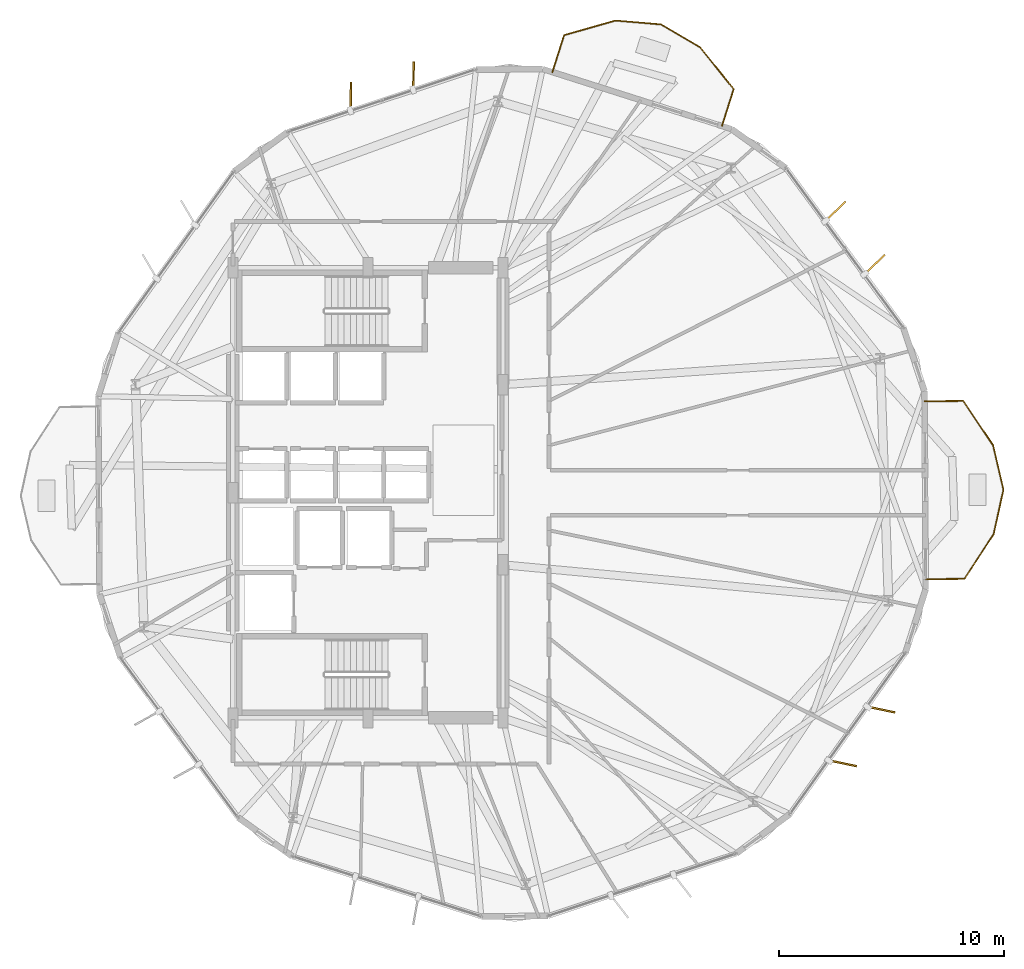
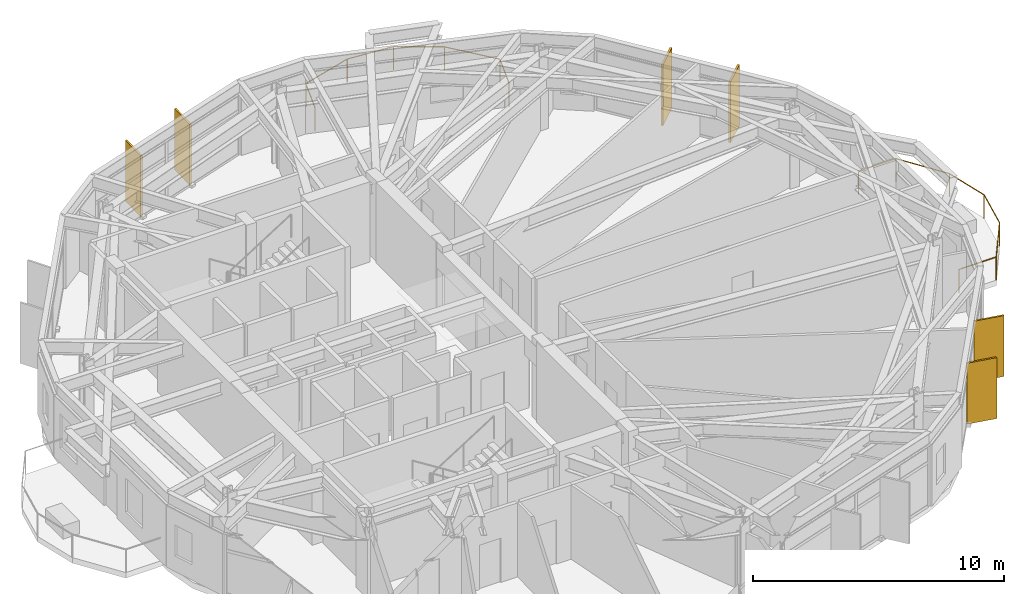
# One storey, part 27 of 27: 6 shading devices, 2 railings.
"""IFC4 building model written with IfcOpenShell, lengths in metres."""

import ifcopenshell
import ifcopenshell.guid

model = None  # the IFC model being written
_history = None  # IfcOwnerHistory: only IFC2X3 demands one
_inside = {}  # id of a spatial element -> (the spatial element, [elements in it])
_under = {}  # id of a project, library or spatial element -> (it, [spatial elements below it])
_declared = {}  # id of a project -> (the project, [libraries it declares])
_typed = {}  # id of a type object -> (the type object, [elements of that type])
_made_of = {}  # id of a material, layer set ... -> (it, [elements and type objects made of it])


def new_model(schema):
    """Start an empty IFC model of exactly this schema.

    Asked for "IFC4X3", IfcOpenShell would pick the latest addendum, in which some entities
    have other attributes; the version numbers below select the first issue.
    IFC2X3 requires an IfcOwnerHistory on every rooted entity: one is made here for all.
    """
    global model, _history
    if schema == "IFC4X3":
        model = ifcopenshell.file(schema_version=(4, 3, 0, 0))
    else:
        model = ifcopenshell.file(schema=schema)
    _inside.clear()
    _under.clear()
    _declared.clear()
    _typed.clear()
    _made_of.clear()
    _history = None
    if model.schema == "IFC2X3":
        org = make("IfcOrganization", Name="unknown")
        user = make(
            "IfcPersonAndOrganization",
            ThePerson=make("IfcPerson", FamilyName="unknown"),
            TheOrganization=org,
        )
        app = make(
            "IfcApplication",
            ApplicationDeveloper=org,
            Version="unknown",
            ApplicationFullName="unknown",
            ApplicationIdentifier="unknown",
        )
        _history = make(
            "IfcOwnerHistory",
            OwningUser=user,
            OwningApplication=app,
            ChangeAction="ADDED",
            CreationDate=0,
        )
    return model


def make(cls, **values):
    """One entity of the class cls with the attributes given. An attribute that is None is left unset."""
    return model.create_entity(
        cls, **{name: value for name, value in values.items() if value is not None}
    )


def rooted(cls, **values):
    """An entity with a GlobalId (a new one), such as an element, a storey or a relation."""
    return make(cls, GlobalId=ifcopenshell.guid.new(), OwnerHistory=_history, **values)


def si_unit(unit_type, name, prefix=None):
    """IfcSIUnit, for example si_unit("LENGTHUNIT", "METRE", prefix="MILLI")."""
    return make("IfcSIUnit", UnitType=unit_type, Prefix=prefix, Name=name)


def assignment(units):
    """IfcUnitAssignment: the units of a project."""
    return None if units is None else make("IfcUnitAssignment", Units=units)


def point(xyz):
    """IfcCartesianPoint."""
    return None if xyz is None else make("IfcCartesianPoint", Coordinates=xyz)


def direction(xyz):
    """IfcDirection."""
    return None if xyz is None else make("IfcDirection", DirectionRatios=xyz)


def frame(location, z_axis=None, x_axis=None):
    """IfcAxis2Placement3D, a coordinate frame: its origin and axes. An axis left out is left unset."""
    return make(
        "IfcAxis2Placement3D",
        Location=point(location),
        Axis=direction(z_axis),
        RefDirection=direction(x_axis),
    )


def frame_2d(location, x_axis=None):
    """IfcAxis2Placement2D, a coordinate frame in the plane: its origin and x axis."""
    return make(
        "IfcAxis2Placement2D", Location=point(location), RefDirection=direction(x_axis)
    )


def origin():
    """The frame at (0, 0, 0) with its axes left unset."""
    return frame((0.0, 0.0, 0.0))


def origin_2d():
    """The frame at (0, 0) in the plane with its x axis left unset."""
    return frame_2d((0.0, 0.0))


def place(relative_to, where):
    """IfcLocalPlacement: puts the frame where relative to a parent placement (None: the world)."""
    return make(
        "IfcLocalPlacement", PlacementRelTo=relative_to, RelativePlacement=where
    )


def context(
    kind, dimensions, precision=None, world=None, true_north=None, identifier=None
):
    """IfcGeometricRepresentationContext, for example the 3D "Model" context."""
    return make(
        "IfcGeometricRepresentationContext",
        ContextIdentifier=identifier,
        ContextType=kind,
        CoordinateSpaceDimension=dimensions,
        Precision=precision,
        WorldCoordinateSystem=world,
        TrueNorth=true_north,
    )


def subcontext(parent, identifier, kind, view, scale=None):
    """IfcGeometricRepresentationSubContext, for example "Body" below "Model"."""
    return make(
        "IfcGeometricRepresentationSubContext",
        ContextIdentifier=identifier,
        ContextType=kind,
        ParentContext=parent,
        TargetScale=scale,
        TargetView=view,
    )


def project(units=None, contexts=None):
    """IfcProject with its units and contexts."""
    return rooted(
        "IfcProject",
        Name="project",
        RepresentationContexts=contexts,
        UnitsInContext=assignment(units),
    )


def spatial(cls, under=None, at=None, **own):
    """A site, building, storey or space (cls), placed at a placement, below another one or the project."""
    s = rooted(cls, ObjectPlacement=at, **own)
    if under is not None:
        _under.setdefault(under.id(), (under, []))[1].append(s)
    return s


def profile(cls, at=None, kind="AREA", **sizes):
    """A parametric profile (cls). Its sizes go by their IFC names, for example OverallWidth=200.0."""
    return make(cls, ProfileType=kind, Position=at, **sizes)


def rectangle(**sizes):
    """IfcRectangleProfileDef."""
    return profile("IfcRectangleProfileDef", **sizes)


def circle(**sizes):
    """IfcCircleProfileDef."""
    return profile("IfcCircleProfileDef", **sizes)


def extrude(swept, where, along, depth):
    """IfcExtrudedAreaSolid: the profile swept, set in the frame where, extruded along a direction by depth."""
    return make(
        "IfcExtrudedAreaSolid",
        SweptArea=swept,
        Position=where,
        ExtrudedDirection=direction(along),
        Depth=depth,
    )


def shape(context_of_items, identifier, shape_type, items):
    """IfcShapeRepresentation: the items that make up one representation, for example the "Body"."""
    return make(
        "IfcShapeRepresentation",
        ContextOfItems=context_of_items,
        RepresentationIdentifier=identifier,
        RepresentationType=shape_type,
        Items=items,
    )


def material(Name=None, Category=None):
    """IfcMaterial."""
    return make("IfcMaterial", Name=Name, Category=Category)


def layer(
    of_material, thickness, ventilated=None, Name=None, Category=None, Priority=None
):
    """IfcMaterialLayer: one layer of a wall or slab, of a material (None: an air gap)."""
    return make(
        "IfcMaterialLayer",
        Material=of_material,
        LayerThickness=thickness,
        IsVentilated=ventilated,
        Name=Name,
        Category=Category,
        Priority=Priority,
    )


def layer_set(layers, Name=None):
    """IfcMaterialLayerSet."""
    return make("IfcMaterialLayerSet", MaterialLayers=layers, LayerSetName=Name)


def made_of(thing, what):
    """Note that an element or type object is made of a material, layer set ...; save() writes the relation."""
    if what is not None:
        _made_of.setdefault(what.id(), (what, []))[1].append(thing)
    return thing


def type_object(cls, material=None, **own):
    """A type object (cls), such as IfcWallType, which elements share."""
    return made_of(rooted(cls, **own), material)


def element(
    cls,
    number,
    at=None,
    inside=None,
    cuts=None,
    type_object=None,
    material=None,
    context=None,
    identifier="Body",
    shape_type=None,
    held_by="IfcProductDefinitionShape",
    body=None,
    shapes=None,
    **own,
):
    """One element of the class cls, such as IfcWall. Its Tag is "e" and its number.

    at: its placement. inside: the storey or other place that contains it. cuts: it is an
    opening in that element (IfcRelVoidsElement). A single representation is given by context,
    identifier, shape_type and body (its items); several are given by shapes. held_by: the class
    of the entity that holds the representations. save() writes the other relations.
    """
    e = rooted(cls, Tag="e%d" % number, ObjectPlacement=at, **own)
    if body is not None:
        shapes = [shape(context, identifier, shape_type, body)]
    if shapes is not None:
        e.Representation = make(held_by, Representations=shapes)
    if inside is not None:
        _inside.setdefault(inside.id(), (inside, []))[1].append(e)
    if cuts is not None:
        rooted(
            "IfcRelVoidsElement", RelatingBuildingElement=cuts, RelatedOpeningElement=e
        )
    if type_object is not None:
        _typed.setdefault(type_object.id(), (type_object, []))[1].append(e)
    return made_of(e, material)


def aggregate(whole, parts):
    """IfcRelAggregates: a whole, such as a stair, and the parts it consists of."""
    return rooted("IfcRelAggregates", RelatingObject=whole, RelatedObjects=parts)


def save(model, path):
    """Write the relations noted so far, then the file.

    IfcRelAggregates (storeys below a building ...), IfcRelContainedInSpatialStructure (elements
    in a storey), IfcRelDefinesByType, IfcRelAssociatesMaterial and IfcRelDeclares: one each for
    every whole, place, type object, material and project.
    """
    for whole, parts in _under.values():
        aggregate(whole, parts)
    for where, things in _inside.values():
        rooted(
            "IfcRelContainedInSpatialStructure",
            RelatedElements=things,
            RelatingStructure=where,
        )
    for kind, things in _typed.values():
        rooted("IfcRelDefinesByType", RelatedObjects=things, RelatingType=kind)
    for what, things in _made_of.values():
        rooted("IfcRelAssociatesMaterial", RelatedObjects=things, RelatingMaterial=what)
    for by, libraries in _declared.values():
        rooted("IfcRelDeclares", RelatingContext=by, RelatedDefinitions=libraries)
    model.write(path)


model = new_model("IFC4")

# Units and contexts
model_context = context("Model", 3, precision=1e-05, world=origin(), true_north=direction((0.0, 1.0)))
body_context = subcontext(model_context, "Body", "Model", "MODEL_VIEW")
ifc_project = project(units=[si_unit("LENGTHUNIT", "METRE"), si_unit("AREAUNIT", "SQUARE_METRE"), si_unit("VOLUMEUNIT", "CUBIC_METRE"), si_unit("PLANEANGLEUNIT", "RADIAN"), si_unit("MASSUNIT", "GRAM", prefix="KILO")], contexts=[model_context])

# Site, building, storey
site_placement = place(None, origin())
site = spatial("IfcSite", under=ifc_project, at=site_placement, CompositionType="ELEMENT")
building_placement = place(site_placement, origin())
building = spatial("IfcBuilding", under=site, at=building_placement, Name="Soratama Intermodal Tower", CompositionType="ELEMENT")
storey_placement = place(building_placement, frame((0.0, 0.0, 99.10009765625)))
storey = spatial("IfcBuildingStorey", under=building, at=storey_placement, Name="L23", CompositionType="ELEMENT", Elevation=99.10009765625)

# Railings
ifc_material_1 = material(Name="Laminated glass and stainless steel balustrade", Category="steel")
railing_type = type_object("IfcRailingType", Name="RL-BAL-1150", PredefinedType="BALUSTRADE", material=ifc_material_1)
railing_1_placement = place(storey_placement, frame((63.32666015625, 29.068603515625, 0.0)))
element("IfcRailing", 1, at=railing_1_placement, inside=storey, type_object=railing_type, Name="L23 Balcony Balustrade 1", PredefinedType="BALUSTRADE", context=body_context, shape_type="SweptSolid", body=[
    extrude(circle(Radius=0.02392578125, at=origin_2d()), frame((0.0, 0.0, 1.1259765625), z_axis=(0.999980497034, 0.006245442423, 0.0), x_axis=(-0.006245442423, 0.999980497034, 0.0)), (0.0, 0.0, 1.0), 1.719970703125),
    extrude(circle(Radius=0.02392578125, at=origin_2d()), frame((1.719970703125, 0.0107421875, 1.1259765625), z_axis=(0.557926700246, -0.82989023199, 0.0), x_axis=(0.82989023199, 0.557926700246, 0.0)), (0.0, 0.0, 1.0), 2.371826171875),
    extrude(circle(Radius=0.02392578125, at=origin_2d()), frame((3.043212890625, -1.95751953125, 1.1259765625), z_axis=(0.227629367038, -0.973747847886, 0.0), x_axis=(0.973747847886, 0.227629367038, 0.0)), (0.0, 0.0, 1.0), 2.027099609375),
    extrude(circle(Radius=0.02392578125, at=origin_2d()), frame((3.504638671875, -3.931396484375, 1.1259765625), z_axis=(-0.215348851196, -0.976537184284, 0.0), x_axis=(0.976537184284, -0.215348851196, 0.0)), (0.0, 0.0, 1.0), 2.027099609375),
    extrude(circle(Radius=0.02392578125, at=origin_2d()), frame((3.068115234375, -5.910888671875, 1.1259765625), z_axis=(-0.547482293231, -0.836817267149, 0.0), x_axis=(0.836817267149, -0.547482293231, 0.0)), (0.0, 0.0, 1.0), 2.371826171875),
    extrude(circle(Radius=0.02392578125, at=origin_2d()), frame((1.76953125, -7.895751953125, 1.1259765625), z_axis=(-0.999980491497, -0.006246329021, 0.0), x_axis=(0.006246329021, -0.999980491497, 0.0)), (0.0, 0.0, 1.0), 1.7197265625),
    extrude(circle(Radius=0.02099609375, at=origin_2d()), origin(), (0.0, 0.0, 1.0), 1.101806640625),
    extrude(circle(Radius=0.02099609375, at=origin_2d()), frame((1.719970703125, 0.0107421875, 0.0)), (0.0, 0.0, 1.0), 1.101806640625),
    extrude(circle(Radius=0.02099609375, at=origin_2d()), frame((3.043212890625, -1.95751953125, 0.0)), (0.0, 0.0, 1.0), 1.101806640625),
    extrude(circle(Radius=0.02099609375, at=origin_2d()), frame((3.504638671875, -3.931396484375, 0.0)), (0.0, 0.0, 1.0), 1.101806640625),
    extrude(circle(Radius=0.02099609375, at=origin_2d()), frame((3.068115234375, -5.910888671875, 0.0)), (0.0, 0.0, 1.0), 1.101806640625),
    extrude(circle(Radius=0.02099609375, at=origin_2d()), frame((1.76953125, -7.895751953125, 0.0)), (0.0, 0.0, 1.0), 1.101806640625),
    extrude(circle(Radius=0.02099609375, at=origin_2d()), frame((0.0498046875, -7.906494140625, 0.0)), (0.0, 0.0, 1.0), 1.101806640625),
])
railing_2_placement = place(storey_placement, frame((46.793701171875, 43.68701171875, 0.0)))
element("IfcRailing", 2, at=railing_2_placement, inside=storey, type_object=railing_type, Name="L23 Balcony Balustrade 2", PredefinedType="BALUSTRADE", context=body_context, shape_type="SweptSolid", body=[
    extrude(circle(Radius=0.02392578125, at=origin_2d()), frame((0.0, 0.0, 1.1259765625), z_axis=(0.303168506728, 0.952936963565, 0.0), x_axis=(-0.952936963565, 0.303168506728, 0.0)), (0.0, 0.0, 1.0), 1.72021484375),
    extrude(circle(Radius=0.02392578125, at=origin_2d()), frame((0.521484375, 1.63916015625, 1.1259765625), z_axis=(0.961690809018, 0.274136440207, 0.0), x_axis=(-0.274136440207, 0.961690809018, 0.0)), (0.0, 0.0, 1.0), 2.37158203125),
    extrude(circle(Radius=0.02392578125, at=origin_2d()), frame((2.80224609375, 2.289306640625, 1.1259765625), z_axis=(0.996439461203, -0.084311328761, 0.0), x_axis=(0.084311328761, 0.996439461203, 0.0)), (0.0, 0.0, 1.0), 2.027099609375),
    extrude(circle(Radius=0.02392578125, at=origin_2d()), frame((4.822021484375, 2.118408203125, 1.1259765625), z_axis=(0.862123023096, -0.506699016229, 0.0), x_axis=(0.506699016229, 0.862123023096, 0.0)), (0.0, 0.0, 1.0), 2.027099609375),
    extrude(circle(Radius=0.02392578125, at=origin_2d()), frame((6.569580078125, 1.09130859375, 1.1259765625), z_axis=(0.626764079471, -0.779209078929, 0.0), x_axis=(0.779209078929, 0.626764079471, 0.0)), (0.0, 0.0, 1.0), 2.371826171875),
    extrude(circle(Radius=0.02392578125, at=origin_2d()), frame((8.05615234375, -0.7568359375, 1.1259765625), z_axis=(-0.303039610797, -0.952977961072, 0.0), x_axis=(0.952977961072, -0.303039610797, 0.0)), (0.0, 0.0, 1.0), 1.719970703125),
    extrude(circle(Radius=0.02099609375, at=origin_2d()), origin(), (0.0, 0.0, 1.0), 1.101806640625),
    extrude(circle(Radius=0.02099609375, at=origin_2d()), frame((0.521484375, 1.63916015625, 0.0)), (0.0, 0.0, 1.0), 1.101806640625),
    extrude(circle(Radius=0.02099609375, at=origin_2d()), frame((2.80224609375, 2.289306640625, 0.0)), (0.0, 0.0, 1.0), 1.101806640625),
    extrude(circle(Radius=0.02099609375, at=origin_2d()), frame((4.822021484375, 2.118408203125, 0.0)), (0.0, 0.0, 1.0), 1.101806640625),
    extrude(circle(Radius=0.02099609375, at=origin_2d()), frame((6.569580078125, 1.09130859375, 0.0)), (0.0, 0.0, 1.0), 1.101806640625),
    extrude(circle(Radius=0.02099609375, at=origin_2d()), frame((8.05615234375, -0.7568359375, 0.0)), (0.0, 0.0, 1.0), 1.101806640625),
    extrude(circle(Radius=0.02099609375, at=origin_2d()), frame((7.534912109375, -2.39599609375, 0.0)), (0.0, 0.0, 1.0), 1.101806640625),
])

# Shading devices
ifc_material_2 = material(Name="Champagne anodised aluminium solar fin", Category="aluminium")
ifc_layer = layer(ifc_material_2, 0.080078125)
ifc_layer_set = layer_set([ifc_layer], Name="Champagne anodised aluminium solar fin")
shading_device_type = type_object("IfcShadingDeviceType", Name="SH-FIN-1250", PredefinedType="USERDEFINED", material=ifc_layer_set)
for number, where, z_axis, x_axis, name in (
    (3, (61.11474609375, 35.144287109375, 0.02001953125), (0.0, 0.0, 1.0), (0.722001787667, 0.69189118986, 0.0), "L23 Solar Fin F01-1"),
    (4, (59.37451171875, 37.50830078125, 0.02001953125), (0.0, 0.0, 1.0), (0.722001787667, 0.69189118986, 0.0), "L23 Solar Fin F01-2"),
    (5, (40.62451171875, 43.52490234375, 0.02001953125), (0.0, 0.0, 1.0), (0.018499434735, 0.999828870815, 0.0), "L23 Solar Fin F03-1"),
    (6, (37.83837890625, 42.600341796875, 0.02001953125), (0.0, 0.0, 1.0), (0.018499434735, 0.999828870815, 0.0), "L23 Solar Fin F03-2"),
    (7, (59.69091796875, 12.983642578125, 0.02001953125), (0.0, 0.0, 1.0), (0.979434632023, -0.201761744624, 0.0), "L23 Solar Fin F09-1"),
    (8, (61.4013671875, 15.369384765625, 0.02001953125), (0.0, 0.0, 1.0), (0.979434632023, -0.201761744624, 0.0), "L23 Solar Fin F09-2"),
):
    element("IfcShadingDevice", number, at=place(storey_placement, frame(where, z_axis=z_axis, x_axis=x_axis)), inside=storey, type_object=shading_device_type, Name=name, ObjectType="FIN", PredefinedType="USERDEFINED", context=body_context, shape_type="SweptSolid", body=[
        extrude(rectangle(XDim=1.25, YDim=0.080078125, at=origin_2d()), origin(), (0.0, 0.0, 1.0), 2.958984375),
    ])

save(model, "model.ifc")
